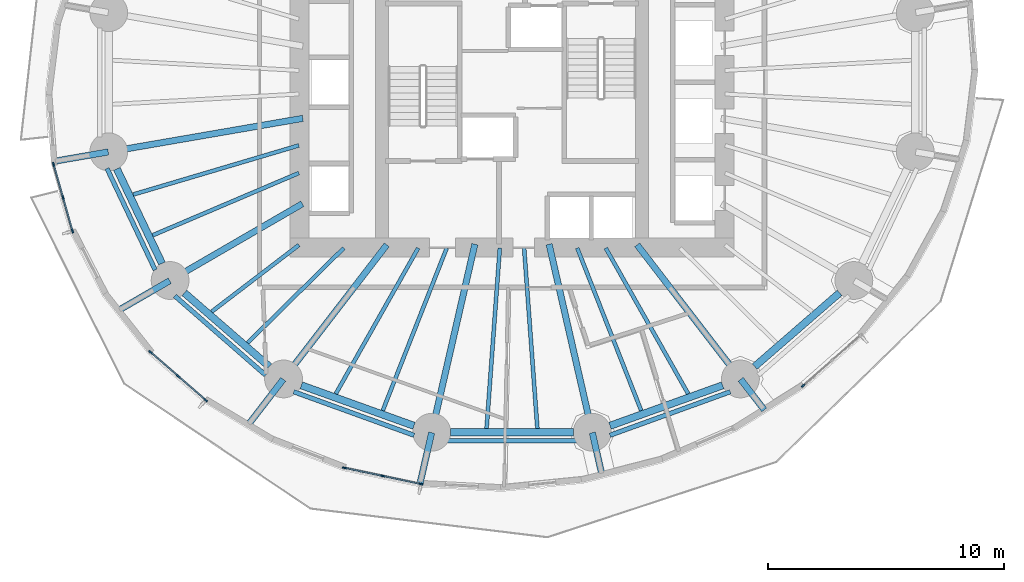
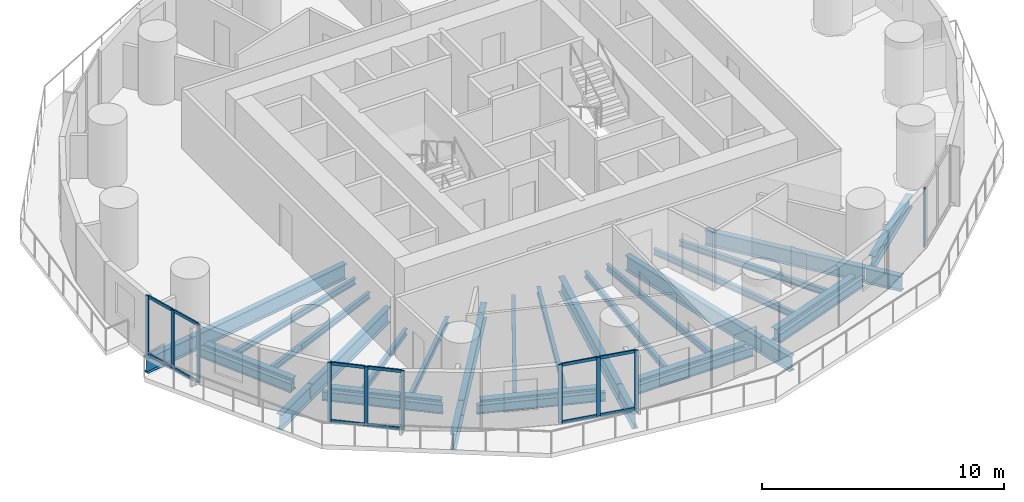
# One storey, part 2 of 13: 33 beams, 22 members, 4 elements without a shape of their own.
"""IFC4 building model written with IfcOpenShell, lengths in metres."""

from ifc_helpers import new_model, si_unit, direction, frame, origin, origin_2d, place, context, subcontext, project, spatial, rectangle, i_section, extrude, material, material_profile, profile_set, type_object, element, aggregate, save


model = new_model("IFC4")

# Units and contexts
model_context = context("Model", 3, precision=1e-05, world=origin(), true_north=direction((0.0, 1.0)))
body_context = subcontext(model_context, "Body", "Model", "MODEL_VIEW")
ifc_project = project(units=[si_unit("LENGTHUNIT", "METRE"), si_unit("AREAUNIT", "SQUARE_METRE"), si_unit("VOLUMEUNIT", "CUBIC_METRE"), si_unit("PLANEANGLEUNIT", "RADIAN"), si_unit("MASSUNIT", "GRAM", prefix="KILO")], contexts=[model_context])

# Site, building, storey
site_placement = place(None, origin())
site = spatial("IfcSite", under=ifc_project, at=site_placement, CompositionType="ELEMENT")
building_placement = place(site_placement, origin())
building = spatial("IfcBuilding", under=site, at=building_placement, Name="Veldorim Arch Residences", CompositionType="ELEMENT")
storey_placement = place(building_placement, frame((0.0, 0.0, 44.0)))
storey = spatial("IfcBuildingStorey", under=building, at=storey_placement, Name="L12", CompositionType="ELEMENT", Elevation=44.0)

# Beams
ifc_material_1 = material(Name="Steel S355", Category="steel")
ifc_material_profile_1 = material_profile(ifc_material_1, i_section(OverallWidth=0.30712890625, OverallDepth=0.6201171875, WebThickness=0.01416015625, FlangeThickness=0.023681640625, at=origin_2d()), Name="UB610x305x179")
ifc_profile_set_1 = profile_set([ifc_material_profile_1], Name="Steel S355")
beam_type_1 = type_object("IfcBeamType", Name="Structural Steel Beam UB610x305x179", PredefinedType="BEAM", material=ifc_profile_set_1)
beam_1_placement = place(storey_placement, frame((15.27880859375, 20.33203125, -0.550048828125), z_axis=(0.430786696724, -0.902453778276, 0.0), x_axis=(0.902453778276, 0.430786696724, 0.0)))
element("IfcBeam", 1, at=beam_1_placement, inside=storey, type_object=beam_type_1, Name="L12 perimeter ring tie beam 09", PredefinedType="BEAM", context=body_context, shape_type="SweptSolid", body=[
    extrude(i_section(OverallWidth=0.30712890625, OverallDepth=0.6201171875, WebThickness=0.01416015625, FlangeThickness=0.023681640625, at=origin_2d()), origin(), (0.0, 0.0, 1.0), 4.431396484375),
])
beam_2_placement = place(storey_placement, frame((18.13671875, 15.086669921875, -0.550048828125), z_axis=(0.755235029424, -0.655454079499, 0.0), x_axis=(0.655454079499, 0.755235029424, 0.0)))
element("IfcBeam", 2, at=beam_2_placement, inside=storey, type_object=beam_type_1, Name="L12 perimeter ring tie beam 10", PredefinedType="BEAM", context=body_context, shape_type="SweptSolid", body=[
    extrude(i_section(OverallWidth=0.30712890625, OverallDepth=0.6201171875, WebThickness=0.01416015625, FlangeThickness=0.023681640625, at=origin_2d()), origin(), (0.0, 0.0, 1.0), 4.756591796875),
])
beam_3_placement = place(storey_placement, frame((23.0859375, 11.17431640625, -0.550048828125), z_axis=(0.94103540046, -0.338308106732, 0.0), x_axis=(0.338308106732, 0.94103540046, 0.0)))
element("IfcBeam", 3, at=beam_3_placement, inside=storey, type_object=beam_type_1, Name="L12 perimeter ring tie beam 11", PredefinedType="BEAM", context=body_context, shape_type="SweptSolid", body=[
    extrude(i_section(OverallWidth=0.30712890625, OverallDepth=0.6201171875, WebThickness=0.01416015625, FlangeThickness=0.023681640625, at=origin_2d()), origin(), (0.0, 0.0, 1.0), 5.065185546875),
])
beam_4_placement = place(storey_placement, frame((29.405517578125, 9.190185546875, -0.550048828125), z_axis=(1.0, 0.0, 0.0), x_axis=(0.0, 1.0, 0.0)))
element("IfcBeam", 4, at=beam_4_placement, inside=storey, type_object=beam_type_1, Name="L12 perimeter ring tie beam 12", PredefinedType="BEAM", context=body_context, shape_type="SweptSolid", body=[
    extrude(i_section(OverallWidth=0.30712890625, OverallDepth=0.6201171875, WebThickness=0.01416015625, FlangeThickness=0.023681640625, at=origin_2d()), origin(), (0.0, 0.0, 1.0), 5.18896484375),
])
beam_5_placement = place(storey_placement, frame((36.1474609375, 9.460693359375, -0.550048828125), z_axis=(0.94103540046, 0.338308106732, 0.0), x_axis=(-0.338308106732, 0.94103540046, 0.0)))
element("IfcBeam", 5, at=beam_5_placement, inside=storey, type_object=beam_type_1, Name="L12 perimeter ring tie beam 13", PredefinedType="BEAM", context=body_context, shape_type="SweptSolid", body=[
    extrude(i_section(OverallWidth=0.30712890625, OverallDepth=0.6201171875, WebThickness=0.01416015625, FlangeThickness=0.023681640625, at=origin_2d()), origin(), (0.0, 0.0, 1.0), 5.065185546875),
])
beam_6_placement = place(storey_placement, frame((42.27099609375, 11.968994140625, -0.550048828125), z_axis=(0.755235029424, 0.655454079499, 0.0), x_axis=(-0.655454079499, 0.755235029424, 0.0)))
element("IfcBeam", 6, at=beam_6_placement, inside=storey, type_object=beam_type_1, Name="L12 perimeter ring tie beam 14", PredefinedType="BEAM", context=body_context, shape_type="SweptSolid", body=[
    extrude(i_section(OverallWidth=0.30712890625, OverallDepth=0.6201171875, WebThickness=0.01416015625, FlangeThickness=0.023681640625, at=origin_2d()), origin(), (0.0, 0.0, 1.0), 4.756591796875),
])
ifc_material_2 = material(Name="Steel S355", Category="steel")
ifc_material_profile_2 = material_profile(ifc_material_2, i_section(OverallWidth=0.26806640625, OverallDepth=0.769775390625, WebThickness=0.015625, FlangeThickness=0.025390625, at=origin_2d()), Name="UB762x267x197")
ifc_profile_set_2 = profile_set([ifc_material_profile_2], Name="Steel S355")
beam_type_2 = type_object("IfcBeamType", Name="Structural Steel GIRDER UB762x267x197", PredefinedType="USERDEFINED", material=ifc_profile_set_2)
beam_7_placement = place(storey_placement, frame((23.147705078125, 22.471923828125, -0.625), z_axis=(-0.985427548249, -0.170095699979, 0.0), x_axis=(0.170095699979, -0.985427548249, 0.0)))
element("IfcBeam", 7, at=beam_7_placement, inside=storey, type_object=beam_type_2, Name="L12 radial floor girder 09", ObjectType="GIRDER", PredefinedType="USERDEFINED", context=body_context, shape_type="SweptSolid", body=[
    extrude(i_section(OverallWidth=0.26806640625, OverallDepth=0.769775390625, WebThickness=0.015625, FlangeThickness=0.025390625, at=origin_2d()), origin(), (0.0, 0.0, 1.0), 8.314697265625),
])
beam_8_placement = place(storey_placement, frame((14.91455078125, 21.05078125, -0.625), z_axis=(-0.98542353719, -0.170118935902, 0.0), x_axis=(0.170118935902, -0.98542353719, 0.0)))
element("IfcBeam", 8, at=beam_8_placement, inside=storey, type_object=beam_type_2, Name="L12 radial edge cantilever girder 09", ObjectType="GIRDER", PredefinedType="USERDEFINED", context=body_context, shape_type="SweptSolid", body=[
    extrude(i_section(OverallWidth=0.26806640625, OverallDepth=0.769775390625, WebThickness=0.015625, FlangeThickness=0.025390625, at=origin_2d()), origin(), (0.0, 0.0, 1.0), 2.35205078125),
])
beam_9_placement = place(storey_placement, frame((23.1298828125, 18.8564453125, -0.625), z_axis=(-0.865088348752, -0.501619525989, 0.0), x_axis=(0.501619525989, -0.865088348752, 0.0)))
element("IfcBeam", 9, at=beam_9_placement, inside=storey, type_object=beam_type_2, Name="L12 radial floor girder 10", ObjectType="GIRDER", PredefinedType="USERDEFINED", context=body_context, shape_type="SweptSolid", body=[
    extrude(i_section(OverallWidth=0.26806640625, OverallDepth=0.769775390625, WebThickness=0.015625, FlangeThickness=0.025390625, at=origin_2d()), origin(), (0.0, 0.0, 1.0), 6.4501953125),
])
beam_10_placement = place(storey_placement, frame((17.51513671875, 15.600830078125, -0.625), z_axis=(-0.86507809522, -0.501637208718, 0.0), x_axis=(0.501637208718, -0.86507809522, 0.0)))
element("IfcBeam", 10, at=beam_10_placement, inside=storey, type_object=beam_type_2, Name="L12 radial edge cantilever girder 10", ObjectType="GIRDER", PredefinedType="USERDEFINED", context=body_context, shape_type="SweptSolid", body=[
    extrude(i_section(OverallWidth=0.26806640625, OverallDepth=0.769775390625, WebThickness=0.015625, FlangeThickness=0.025390625, at=origin_2d()), origin(), (0.0, 0.0, 1.0), 2.52978515625),
])
beam_11_placement = place(storey_placement, frame((26.701904296875, 17.118896484375, -0.625), z_axis=(-0.610082439157, -0.792337943956, 0.0), x_axis=(0.792337943956, -0.610082439157, 0.0)))
element("IfcBeam", 11, at=beam_11_placement, inside=storey, type_object=beam_type_2, Name="L12 radial floor girder 11", ObjectType="GIRDER", PredefinedType="USERDEFINED", context=body_context, shape_type="SweptSolid", body=[
    extrude(i_section(OverallWidth=0.26806640625, OverallDepth=0.769775390625, WebThickness=0.015625, FlangeThickness=0.025390625, at=origin_2d()), origin(), (0.0, 0.0, 1.0), 7.14111328125),
])
beam_12_placement = place(storey_placement, frame((22.32080078125, 11.428955078125, -0.625), z_axis=(-0.609999263859, -0.792401980116, 0.0), x_axis=(0.792401980116, -0.609999263859, 0.0)))
element("IfcBeam", 12, at=beam_12_placement, inside=storey, type_object=beam_type_2, Name="L12 radial edge cantilever girder 11", ObjectType="GIRDER", PredefinedType="USERDEFINED", context=body_context, shape_type="SweptSolid", body=[
    extrude(i_section(OverallWidth=0.26806640625, OverallDepth=0.769775390625, WebThickness=0.015625, FlangeThickness=0.025390625, at=origin_2d()), origin(), (0.0, 0.0, 1.0), 2.453369140625),
])
beam_13_placement = place(storey_placement, frame((30.428955078125, 17.146240234375, -0.625), z_axis=(-0.223411766201, -0.974724157248, 0.0), x_axis=(0.974724157248, -0.223411766201, 0.0)))
element("IfcBeam", 13, at=beam_13_placement, inside=storey, type_object=beam_type_2, Name="L12 radial floor girder 12", ObjectType="GIRDER", PredefinedType="USERDEFINED", context=body_context, shape_type="SweptSolid", body=[
    extrude(i_section(OverallWidth=0.26806640625, OverallDepth=0.769775390625, WebThickness=0.015625, FlangeThickness=0.025390625, at=origin_2d()), origin(), (0.0, 0.0, 1.0), 8.142333984375),
])
beam_14_placement = place(storey_placement, frame((28.600830078125, 9.170654296875, -0.625), z_axis=(-0.223367414268, -0.974734321876, 0.0), x_axis=(0.974734321876, -0.223367414268, 0.0)))
element("IfcBeam", 14, at=beam_14_placement, inside=storey, type_object=beam_type_2, Name="L12 radial edge cantilever girder 12", ObjectType="GIRDER", PredefinedType="USERDEFINED", context=body_context, shape_type="SweptSolid", body=[
    extrude(i_section(OverallWidth=0.26806640625, OverallDepth=0.769775390625, WebThickness=0.015625, FlangeThickness=0.025390625, at=origin_2d()), origin(), (0.0, 0.0, 1.0), 2.211181640625),
])
beam_15_placement = place(storey_placement, frame((33.571044921875, 17.146240234375, -0.625), z_axis=(0.223411766201, -0.974724157248, 0.0), x_axis=(0.974724157248, 0.223411766201, 0.0)))
element("IfcBeam", 15, at=beam_15_placement, inside=storey, type_object=beam_type_2, Name="L12 radial floor girder 13", ObjectType="GIRDER", PredefinedType="USERDEFINED", context=body_context, shape_type="SweptSolid", body=[
    extrude(i_section(OverallWidth=0.26806640625, OverallDepth=0.769775390625, WebThickness=0.015625, FlangeThickness=0.025390625, at=origin_2d()), origin(), (0.0, 0.0, 1.0), 8.142333984375),
])
beam_16_placement = place(storey_placement, frame((35.399169921875, 9.170654296875, -0.625), z_axis=(0.223378778819, -0.974731717537, 0.0), x_axis=(0.974731717537, 0.223378778819, 0.0)))
element("IfcBeam", 16, at=beam_16_placement, inside=storey, type_object=beam_type_2, Name="L12 radial edge cantilever girder 13", ObjectType="GIRDER", PredefinedType="USERDEFINED", context=body_context, shape_type="SweptSolid", body=[
    extrude(i_section(OverallWidth=0.26806640625, OverallDepth=0.769775390625, WebThickness=0.015625, FlangeThickness=0.025390625, at=origin_2d()), origin(), (0.0, 0.0, 1.0), 1.8427734375),
])
beam_17_placement = place(storey_placement, frame((37.298095703125, 17.118896484375, -0.625), z_axis=(0.610082439157, -0.792337943956, 0.0), x_axis=(0.792337943956, 0.610082439157, 0.0)))
element("IfcBeam", 17, at=beam_17_placement, inside=storey, type_object=beam_type_2, Name="L12 radial floor girder 14", ObjectType="GIRDER", PredefinedType="USERDEFINED", context=body_context, shape_type="SweptSolid", body=[
    extrude(i_section(OverallWidth=0.26806640625, OverallDepth=0.769775390625, WebThickness=0.015625, FlangeThickness=0.025390625, at=origin_2d()), origin(), (0.0, 0.0, 1.0), 7.14111328125),
])
beam_18_placement = place(storey_placement, frame((41.67919921875, 11.428955078125, -0.625), z_axis=(0.610020580693, -0.792385569739, 0.0), x_axis=(0.792385569739, 0.610020580693, 0.0)))
element("IfcBeam", 18, at=beam_18_placement, inside=storey, type_object=beam_type_2, Name="L12 radial edge cantilever girder 14", ObjectType="GIRDER", PredefinedType="USERDEFINED", context=body_context, shape_type="SweptSolid", body=[
    extrude(i_section(OverallWidth=0.26806640625, OverallDepth=0.769775390625, WebThickness=0.015625, FlangeThickness=0.025390625, at=origin_2d()), origin(), (0.0, 0.0, 1.0), 1.63720703125),
])
ifc_material_3 = material(Name="Steel S355", Category="steel")
ifc_material_profile_3 = material_profile(ifc_material_3, i_section(OverallWidth=0.165771484375, OverallDepth=0.306640625, WebThickness=0.006591796875, FlangeThickness=0.01171875, at=origin_2d()), Name="UB305x165x46")
ifc_profile_set_3 = profile_set([ifc_material_profile_3], Name="Steel S355")
beam_type_3 = type_object("IfcBeamType", Name="Structural Steel Joist UB305x165x46", PredefinedType="JOIST", material=ifc_profile_set_3)
beam_19_placement = place(storey_placement, frame((22.980712890625, 21.32666015625, -0.393310546875), z_axis=(-0.958766778771, -0.284194060325, 0.0), x_axis=(0.284194060325, -0.958766778771, 0.0)))
element("IfcBeam", 19, at=beam_19_placement, inside=storey, type_object=beam_type_3, Name="L12 secondary radial floor joist 09-1", PredefinedType="JOIST", context=body_context, shape_type="SweptSolid", body=[
    extrude(i_section(OverallWidth=0.165771484375, OverallDepth=0.306640625, WebThickness=0.006591796875, FlangeThickness=0.01171875, at=origin_2d()), origin(), (0.0, 0.0, 1.0), 7.3115234375),
])
beam_20_placement = place(storey_placement, frame((22.981689453125, 20.15869140625, -0.393310546875), z_axis=(-0.920032948668, -0.391841005213, 0.0), x_axis=(0.391841005213, -0.920032948668, 0.0)))
element("IfcBeam", 20, at=beam_20_placement, inside=storey, type_object=beam_type_3, Name="L12 secondary radial floor joist 09-2", PredefinedType="JOIST", context=body_context, shape_type="SweptSolid", body=[
    extrude(i_section(OverallWidth=0.165771484375, OverallDepth=0.306640625, WebThickness=0.006591796875, FlangeThickness=0.01171875, at=origin_2d()), origin(), (0.0, 0.0, 1.0), 6.723388671875),
])
beam_21_placement = place(storey_placement, frame((22.984130859375, 17.1123046875, -0.393310546875), z_axis=(-0.794666431166, -0.607046343517, 0.0), x_axis=(0.607046343517, -0.794666431166, 0.0)))
element("IfcBeam", 21, at=beam_21_placement, inside=storey, type_object=beam_type_3, Name="L12 secondary radial floor joist 10-1", PredefinedType="JOIST", context=body_context, shape_type="SweptSolid", body=[
    extrude(i_section(OverallWidth=0.165771484375, OverallDepth=0.306640625, WebThickness=0.006591796875, FlangeThickness=0.01171875, at=origin_2d()), origin(), (0.0, 0.0, 1.0), 4.646728515625),
])
beam_22_placement = place(storey_placement, frame((24.885009765625, 16.986083984375, -0.393310546875), z_axis=(-0.712129078446, -0.702048556463, 0.0), x_axis=(0.702048556463, -0.712129078446, 0.0)))
element("IfcBeam", 22, at=beam_22_placement, inside=storey, type_object=beam_type_3, Name="L12 secondary radial floor joist 10-2", PredefinedType="JOIST", context=body_context, shape_type="SweptSolid", body=[
    extrude(i_section(OverallWidth=0.165771484375, OverallDepth=0.306640625, WebThickness=0.006591796875, FlangeThickness=0.01171875, at=origin_2d()), origin(), (0.0, 0.0, 1.0), 5.715576171875),
])
beam_23_placement = place(storey_placement, frame((28.03125, 16.982666015625, -0.393310546875), z_axis=(-0.492292335352, -0.870429926274, 0.0), x_axis=(0.870429926274, -0.492292335352, 0.0)))
element("IfcBeam", 23, at=beam_23_placement, inside=storey, type_object=beam_type_3, Name="L12 secondary radial floor joist 11-1", PredefinedType="JOIST", context=body_context, shape_type="SweptSolid", body=[
    extrude(i_section(OverallWidth=0.165771484375, OverallDepth=0.306640625, WebThickness=0.006591796875, FlangeThickness=0.01171875, at=origin_2d()), origin(), (0.0, 0.0, 1.0), 7.083251953125),
])
beam_24_placement = place(storey_placement, frame((29.237548828125, 16.9814453125, -0.393310546875), z_axis=(-0.366229833858, -0.930524426758, 0.0), x_axis=(0.930524426758, -0.366229833858, 0.0)))
element("IfcBeam", 24, at=beam_24_placement, inside=storey, type_object=beam_type_3, Name="L12 secondary radial floor joist 11-2", PredefinedType="JOIST", context=body_context, shape_type="SweptSolid", body=[
    extrude(i_section(OverallWidth=0.165771484375, OverallDepth=0.306640625, WebThickness=0.006591796875, FlangeThickness=0.01171875, at=origin_2d()), origin(), (0.0, 0.0, 1.0), 7.3896484375),
])
for number, where, z_axis, x_axis, name in (
    (25, (31.485107421875, 16.97998046875, -0.393310546875), (-0.073167620373, -0.997319657547, 0.0), (0.997319657547, -0.073167620373, 0.0), "L12 secondary radial floor joist 12-1"),
    (26, (32.514892578125, 16.97998046875, -0.393310546875), (0.073167620373, -0.997319657547, 0.0), (0.997319657547, 0.073167620373, 0.0), "L12 secondary radial floor joist 12-2"),
):
    element("IfcBeam", number, at=place(storey_placement, frame(where, z_axis=z_axis, x_axis=x_axis)), inside=storey, type_object=beam_type_3, Name=name, PredefinedType="JOIST", context=body_context, shape_type="SweptSolid", body=[
        extrude(i_section(OverallWidth=0.165771484375, OverallDepth=0.306640625, WebThickness=0.006591796875, FlangeThickness=0.01171875, at=origin_2d()), origin(), (0.0, 0.0, 1.0), 7.651123046875),
    ])
beam_25_placement = place(storey_placement, frame((34.762451171875, 16.9814453125, -0.393310546875), z_axis=(0.366229833858, -0.930524426758, 0.0), x_axis=(0.930524426758, 0.366229833858, 0.0)))
element("IfcBeam", 27, at=beam_25_placement, inside=storey, type_object=beam_type_3, Name="L12 secondary radial floor joist 13-1", PredefinedType="JOIST", context=body_context, shape_type="SweptSolid", body=[
    extrude(i_section(OverallWidth=0.165771484375, OverallDepth=0.306640625, WebThickness=0.006591796875, FlangeThickness=0.01171875, at=origin_2d()), origin(), (0.0, 0.0, 1.0), 7.3896484375),
])
beam_26_placement = place(storey_placement, frame((35.96875, 16.982666015625, -0.393310546875), z_axis=(0.492292335352, -0.870429926274, 0.0), x_axis=(0.870429926274, 0.492292335352, 0.0)))
element("IfcBeam", 28, at=beam_26_placement, inside=storey, type_object=beam_type_3, Name="L12 secondary radial floor joist 13-2", PredefinedType="JOIST", context=body_context, shape_type="SweptSolid", body=[
    extrude(i_section(OverallWidth=0.165771484375, OverallDepth=0.306640625, WebThickness=0.006591796875, FlangeThickness=0.01171875, at=origin_2d()), origin(), (0.0, 0.0, 1.0), 7.083251953125),
])
ifc_material_4 = material(Name="Steel S355", Category="steel")
ifc_material_profile_4 = material_profile(ifc_material_4, i_section(OverallWidth=0.19140625, OverallDepth=0.4599609375, WebThickness=0.010009765625, FlangeThickness=0.01611328125, at=origin_2d()), Name="UB457x191x82")
ifc_profile_set_4 = profile_set([ifc_material_profile_4], Name="Steel S355")
beam_type_4 = type_object("IfcBeamType", Name="Structural Steel Spandrel UB457x191x82", PredefinedType="SPANDREL", material=ifc_profile_set_4)
beam_27_placement = place(storey_placement, frame((14.86181640625, 20.353515625, -0.489990234375), z_axis=(0.42886940858, -0.903366498374, 0.0), x_axis=(0.903366498374, 0.42886940858, 0.0)))
element("IfcBeam", 29, at=beam_27_placement, inside=storey, type_object=beam_type_4, Name="L12 perimeter chord spandrel beam 09", PredefinedType="SPANDREL", context=body_context, shape_type="SweptSolid", body=[
    extrude(i_section(OverallWidth=0.19140625, OverallDepth=0.4599609375, WebThickness=0.010009765625, FlangeThickness=0.01611328125, at=origin_2d()), origin(), (0.0, 0.0, 1.0), 4.7568359375),
])
beam_28_placement = place(storey_placement, frame((17.73388671875, 14.957275390625, -0.489990234375), z_axis=(0.753250231024, -0.65773405679, 0.0), x_axis=(0.65773405679, 0.753250231024, 0.0)))
element("IfcBeam", 30, at=beam_28_placement, inside=storey, type_object=beam_type_4, Name="L12 perimeter chord spandrel beam 10", PredefinedType="SPANDREL", context=body_context, shape_type="SweptSolid", body=[
    extrude(i_section(OverallWidth=0.19140625, OverallDepth=0.4599609375, WebThickness=0.010009765625, FlangeThickness=0.01611328125, at=origin_2d()), origin(), (0.0, 0.0, 1.0), 5.09423828125),
])
beam_29_placement = place(storey_placement, frame((22.76318359375, 10.904052734375, -0.489990234375), z_axis=(0.940271320222, -0.340425974873, 0.0), x_axis=(0.340425974873, 0.940271320222, 0.0)))
element("IfcBeam", 31, at=beam_29_placement, inside=storey, type_object=beam_type_4, Name="L12 perimeter chord spandrel beam 11", PredefinedType="SPANDREL", context=body_context, shape_type="SweptSolid", body=[
    extrude(i_section(OverallWidth=0.19140625, OverallDepth=0.4599609375, WebThickness=0.010009765625, FlangeThickness=0.01611328125, at=origin_2d()), origin(), (0.0, 0.0, 1.0), 5.4189453125),
])
beam_30_placement = place(storey_placement, frame((29.224609375, 8.819580078125, -0.489990234375), z_axis=(1.0, 0.0, 0.0), x_axis=(0.0, 1.0, 0.0)))
element("IfcBeam", 32, at=beam_30_placement, inside=storey, type_object=beam_type_4, Name="L12 perimeter chord spandrel beam 12", PredefinedType="SPANDREL", context=body_context, shape_type="SweptSolid", body=[
    extrude(i_section(OverallWidth=0.19140625, OverallDepth=0.4599609375, WebThickness=0.010009765625, FlangeThickness=0.01611328125, at=origin_2d()), origin(), (0.0, 0.0, 1.0), 5.55078125),
])
beam_31_placement = place(storey_placement, frame((36.1416015625, 9.059326171875, -0.489990234375), z_axis=(0.940271320222, 0.340425974873, 0.0), x_axis=(-0.340425974873, 0.940271320222, 0.0)))
element("IfcBeam", 33, at=beam_31_placement, inside=storey, type_object=beam_type_4, Name="L12 perimeter chord spandrel beam 13", PredefinedType="SPANDREL", context=body_context, shape_type="SweptSolid", body=[
    extrude(i_section(OverallWidth=0.19140625, OverallDepth=0.4599609375, WebThickness=0.010009765625, FlangeThickness=0.01611328125, at=origin_2d()), origin(), (0.0, 0.0, 1.0), 5.4189453125),
])

# Curtain wall, members
ifc_material_5 = material(Name="Aluminium", Category="aluminium")
curtain_wall_type = type_object("IfcCurtainWallType", Name="Zone 1 Acoustic Low-E Unitised Curtain Wall", PredefinedType="NOTDEFINED", material=ifc_material_5)
curtain_wall_1_placement = place(storey_placement, origin())
curtain_wall_1 = element("IfcCurtainWall", 34, at=curtain_wall_1_placement, inside=storey, type_object=curtain_wall_type, Name="L12 unitised curtain wall bay 19", PredefinedType="NOTDEFINED")
ifc_material_6 = material(Name="Aluminium", Category="aluminium")
ifc_material_profile_5 = material_profile(ifc_material_6, rectangle(XDim=0.06494140625, YDim=0.175048828125, at=origin_2d()), Name="ALU_MUL_65x175")
ifc_profile_set_5 = profile_set([ifc_material_profile_5], Name="Aluminium")
member_type_1 = type_object("IfcMemberType", Name="Zone 1 Acoustic Low-E Unitised Curtain Wall Mullion 65x175", PredefinedType="MULLION", material=ifc_profile_set_5)
member_1_placement = place(storey_placement, frame((13.40234375, 17.702392578125, 0.0), z_axis=(0.0, 0.0, 1.0), x_axis=(-0.962071370887, -0.27279786898, 0.0)))
member_1 = element("IfcMember", 35, at=member_1_placement, type_object=member_type_1, Name="CW-Z1 mullion 1", PredefinedType="MULLION", context=body_context, shape_type="SweptSolid", body=[
    extrude(rectangle(XDim=0.06494140625, YDim=0.175048828125, at=origin_2d()), origin(), (0.0, 0.0, 1.0), 2.9599609375),
])
member_2_placement = place(storey_placement, frame((13.001708984375, 19.114990234375, 0.0), z_axis=(0.0, 0.0, 1.0), x_axis=(-0.962071370887, -0.27279786898, 0.0)))
member_2 = element("IfcMember", 36, at=member_2_placement, type_object=member_type_1, Name="CW-Z1 mullion 2", PredefinedType="MULLION", context=body_context, shape_type="SweptSolid", body=[
    extrude(rectangle(XDim=0.06494140625, YDim=0.175048828125, at=origin_2d()), origin(), (0.0, 0.0, 1.0), 2.9599609375),
])
member_3_placement = place(storey_placement, frame((12.60107421875, 20.52783203125, 0.0), z_axis=(0.0, 0.0, 1.0), x_axis=(-0.962071370887, -0.27279786898, 0.0)))
member_3 = element("IfcMember", 37, at=member_3_placement, type_object=member_type_1, Name="CW-Z1 mullion 3", PredefinedType="MULLION", context=body_context, shape_type="SweptSolid", body=[
    extrude(rectangle(XDim=0.06494140625, YDim=0.175048828125, at=origin_2d()), origin(), (0.0, 0.0, 1.0), 2.9599609375),
])

curtain_wall_2_placement = place(storey_placement, origin())
curtain_wall_2 = element("IfcCurtainWall", 38, at=curtain_wall_2_placement, inside=storey, type_object=curtain_wall_type, Name="L12 unitised curtain wall bay 22", PredefinedType="NOTDEFINED")
member_4_placement = place(storey_placement, frame((19.0361328125, 10.54931640625, 0.0), z_axis=(0.0, 0.0, 1.0), x_axis=(-0.656718522267, -0.754135785195, 0.0)))
member_4 = element("IfcMember", 39, at=member_4_placement, type_object=member_type_1, Name="CW-Z1 mullion 1", PredefinedType="MULLION", context=body_context, shape_type="SweptSolid", body=[
    extrude(rectangle(XDim=0.06494140625, YDim=0.175048828125, at=origin_2d()), origin(), (0.0, 0.0, 1.0), 2.9599609375),
])
member_5_placement = place(storey_placement, frame((17.87109375, 11.563720703125, 0.0), z_axis=(0.0, 0.0, 1.0), x_axis=(-0.656718522267, -0.754135785195, 0.0)))
member_5 = element("IfcMember", 40, at=member_5_placement, type_object=member_type_1, Name="CW-Z1 mullion 2", PredefinedType="MULLION", context=body_context, shape_type="SweptSolid", body=[
    extrude(rectangle(XDim=0.06494140625, YDim=0.175048828125, at=origin_2d()), origin(), (0.0, 0.0, 1.0), 2.9599609375),
])
member_6_placement = place(storey_placement, frame((16.706298828125, 12.578125, 0.0), z_axis=(0.0, 0.0, 1.0), x_axis=(-0.656718522267, -0.754135785195, 0.0)))
member_6 = element("IfcMember", 41, at=member_6_placement, type_object=member_type_1, Name="CW-Z1 mullion 3", PredefinedType="MULLION", context=body_context, shape_type="SweptSolid", body=[
    extrude(rectangle(XDim=0.06494140625, YDim=0.175048828125, at=origin_2d()), origin(), (0.0, 0.0, 1.0), 2.9599609375),
])

curtain_wall_3_placement = place(storey_placement, origin())
curtain_wall_3 = element("IfcCurtainWall", 42, at=curtain_wall_3_placement, inside=storey, type_object=curtain_wall_type, Name="L12 unitised curtain wall bay 25", PredefinedType="NOTDEFINED")
member_7_placement = place(storey_placement, frame((28.148193359375, 6.996337890625, 0.0), z_axis=(0.0, 0.0, 1.0), x_axis=(-0.207442343439, -0.978247245919, 0.0)))
member_7 = element("IfcMember", 43, at=member_7_placement, type_object=member_type_1, Name="CW-Z1 mullion 1", PredefinedType="MULLION", context=body_context, shape_type="SweptSolid", body=[
    extrude(rectangle(XDim=0.06494140625, YDim=0.175048828125, at=origin_2d()), origin(), (0.0, 0.0, 1.0), 2.9599609375),
])
member_8_placement = place(storey_placement, frame((26.529296875, 7.339599609375, 0.0), z_axis=(0.0, 0.0, 1.0), x_axis=(-0.207442343439, -0.978247245919, 0.0)))
member_8 = element("IfcMember", 44, at=member_8_placement, type_object=member_type_1, Name="CW-Z1 mullion 2", PredefinedType="MULLION", context=body_context, shape_type="SweptSolid", body=[
    extrude(rectangle(XDim=0.06494140625, YDim=0.175048828125, at=origin_2d()), origin(), (0.0, 0.0, 1.0), 2.9599609375),
])
member_9_placement = place(storey_placement, frame((24.910400390625, 7.682861328125, 0.0), z_axis=(0.0, 0.0, 1.0), x_axis=(-0.207442343439, -0.978247245919, 0.0)))
member_9 = element("IfcMember", 45, at=member_9_placement, type_object=member_type_1, Name="CW-Z1 mullion 3", PredefinedType="MULLION", context=body_context, shape_type="SweptSolid", body=[
    extrude(rectangle(XDim=0.06494140625, YDim=0.175048828125, at=origin_2d()), origin(), (0.0, 0.0, 1.0), 2.9599609375),
])

# Curtain wall, member
curtain_wall_4_placement = place(storey_placement, origin())
curtain_wall_4 = element("IfcCurtainWall", 46, at=curtain_wall_4_placement, inside=storey, type_object=curtain_wall_type, Name="L12 unitised curtain wall bay 31", PredefinedType="NOTDEFINED")
member_10_placement = place(storey_placement, frame((44.319091796875, 11.156005859375, 0.0), z_axis=(0.0, 0.0, 1.0), x_axis=(0.661206750082, -0.750203728094, 0.0)))
member_10 = element("IfcMember", 47, at=member_10_placement, type_object=member_type_1, Name="CW-Z1 mullion 3", PredefinedType="MULLION", context=body_context, shape_type="SweptSolid", body=[
    extrude(rectangle(XDim=0.06494140625, YDim=0.175048828125, at=origin_2d()), origin(), (0.0, 0.0, 1.0), 2.9599609375),
])
aggregate(curtain_wall_4, [member_10])

# Member
ifc_material_7 = material(Name="Aluminium", Category="aluminium")
ifc_material_profile_6 = material_profile(ifc_material_7, rectangle(XDim=0.06494140625, YDim=0.14990234375, at=origin_2d()), Name="ALU_TRN_65x150")
ifc_profile_set_6 = profile_set([ifc_material_profile_6], Name="Aluminium")
member_type_2 = type_object("IfcMemberType", Name="Zone 1 Acoustic Low-E Unitised Curtain Wall Transom 65x150", PredefinedType="USERDEFINED", material=ifc_profile_set_6)
member_11_placement = place(storey_placement, frame((13.393310546875, 17.733642578125, 0.032470703125), z_axis=(-0.272790453274, 0.962073473599, 0.0), x_axis=(-0.962073473599, -0.272790453274, 0.0)))
member_11 = element("IfcMember", 48, at=member_11_placement, type_object=member_type_2, Name="CW-Z1 transom 1.1", ObjectType="TRANSOM", PredefinedType="USERDEFINED", context=body_context, shape_type="SweptSolid", body=[
    extrude(rectangle(XDim=0.06494140625, YDim=0.14990234375, at=origin_2d()), origin(), (0.0, 0.0, 1.0), 1.4033203125),
])

member_12_placement = place(storey_placement, frame((13.393310546875, 17.733642578125, 2.927490234375), z_axis=(-0.272790453274, 0.962073473599, 0.0), x_axis=(-0.962073473599, -0.272790453274, 0.0)))
member_12 = element("IfcMember", 49, at=member_12_placement, type_object=member_type_2, Name="CW-Z1 transom 1.2", ObjectType="TRANSOM", PredefinedType="USERDEFINED", context=body_context, shape_type="SweptSolid", body=[
    extrude(rectangle(XDim=0.06494140625, YDim=0.14990234375, at=origin_2d()), origin(), (0.0, 0.0, 1.0), 1.4033203125),
])

member_13_placement = place(storey_placement, frame((12.99267578125, 19.146484375, 0.032470703125), z_axis=(-0.272790453274, 0.962073473599, 0.0), x_axis=(-0.962073473599, -0.272790453274, 0.0)))
member_13 = element("IfcMember", 50, at=member_13_placement, type_object=member_type_2, Name="CW-Z1 transom 2.1", ObjectType="TRANSOM", PredefinedType="USERDEFINED", context=body_context, shape_type="SweptSolid", body=[
    extrude(rectangle(XDim=0.06494140625, YDim=0.14990234375, at=origin_2d()), origin(), (0.0, 0.0, 1.0), 1.4033203125),
])

member_14_placement = place(storey_placement, frame((12.99267578125, 19.146484375, 2.927490234375), z_axis=(-0.272790453274, 0.962073473599, 0.0), x_axis=(-0.962073473599, -0.272790453274, 0.0)))
member_14 = element("IfcMember", 51, at=member_14_placement, type_object=member_type_2, Name="CW-Z1 transom 2.2", ObjectType="TRANSOM", PredefinedType="USERDEFINED", context=body_context, shape_type="SweptSolid", body=[
    extrude(rectangle(XDim=0.06494140625, YDim=0.14990234375, at=origin_2d()), origin(), (0.0, 0.0, 1.0), 1.4033203125),
])

aggregate(curtain_wall_1, [member_1, member_2, member_3, member_11, member_12, member_13, member_14])

member_15_placement = place(storey_placement, frame((19.011474609375, 10.570556640625, 0.032470703125), z_axis=(-0.754107958252, 0.656750475677, 0.0), x_axis=(-0.656750475677, -0.754107958252, 0.0)))
member_15 = element("IfcMember", 52, at=member_15_placement, type_object=member_type_2, Name="CW-Z1 transom 1.1", ObjectType="TRANSOM", PredefinedType="USERDEFINED", context=body_context, shape_type="SweptSolid", body=[
    extrude(rectangle(XDim=0.06494140625, YDim=0.14990234375, at=origin_2d()), origin(), (0.0, 0.0, 1.0), 1.4794921875),
])

member_16_placement = place(storey_placement, frame((19.011474609375, 10.570556640625, 2.927490234375), z_axis=(-0.754107958252, 0.656750475677, 0.0), x_axis=(-0.656750475677, -0.754107958252, 0.0)))
member_16 = element("IfcMember", 53, at=member_16_placement, type_object=member_type_2, Name="CW-Z1 transom 1.2", ObjectType="TRANSOM", PredefinedType="USERDEFINED", context=body_context, shape_type="SweptSolid", body=[
    extrude(rectangle(XDim=0.06494140625, YDim=0.14990234375, at=origin_2d()), origin(), (0.0, 0.0, 1.0), 1.4794921875),
])

member_17_placement = place(storey_placement, frame((17.8466796875, 11.5849609375, 0.032470703125), z_axis=(-0.75409740977, 0.656762587682, 0.0), x_axis=(-0.656762587682, -0.75409740977, 0.0)))
member_17 = element("IfcMember", 54, at=member_17_placement, type_object=member_type_2, Name="CW-Z1 transom 2.1", ObjectType="TRANSOM", PredefinedType="USERDEFINED", context=body_context, shape_type="SweptSolid", body=[
    extrude(rectangle(XDim=0.06494140625, YDim=0.14990234375, at=origin_2d()), origin(), (0.0, 0.0, 1.0), 1.47998046875),
])

member_18_placement = place(storey_placement, frame((17.8466796875, 11.5849609375, 2.927490234375), z_axis=(-0.75409740977, 0.656762587682, 0.0), x_axis=(-0.656762587682, -0.75409740977, 0.0)))
member_18 = element("IfcMember", 55, at=member_18_placement, type_object=member_type_2, Name="CW-Z1 transom 2.2", ObjectType="TRANSOM", PredefinedType="USERDEFINED", context=body_context, shape_type="SweptSolid", body=[
    extrude(rectangle(XDim=0.06494140625, YDim=0.14990234375, at=origin_2d()), origin(), (0.0, 0.0, 1.0), 1.47998046875),
])

aggregate(curtain_wall_2, [member_4, member_5, member_6, member_15, member_16, member_17, member_18])

member_19_placement = place(storey_placement, frame((28.116455078125, 7.0029296875, 0.032470703125), z_axis=(-0.978247345961, 0.207441871667, 0.0), x_axis=(-0.207441871667, -0.978247345961, 0.0)))
member_19 = element("IfcMember", 56, at=member_19_placement, type_object=member_type_2, Name="CW-Z1 transom 1.1", ObjectType="TRANSOM", PredefinedType="USERDEFINED", context=body_context, shape_type="SweptSolid", body=[
    extrude(rectangle(XDim=0.06494140625, YDim=0.14990234375, at=origin_2d()), origin(), (0.0, 0.0, 1.0), 1.590087890625),
])

member_20_placement = place(storey_placement, frame((28.116455078125, 7.0029296875, 2.927490234375), z_axis=(-0.978247345961, 0.207441871667, 0.0), x_axis=(-0.207441871667, -0.978247345961, 0.0)))
member_20 = element("IfcMember", 57, at=member_20_placement, type_object=member_type_2, Name="CW-Z1 transom 1.2", ObjectType="TRANSOM", PredefinedType="USERDEFINED", context=body_context, shape_type="SweptSolid", body=[
    extrude(rectangle(XDim=0.06494140625, YDim=0.14990234375, at=origin_2d()), origin(), (0.0, 0.0, 1.0), 1.590087890625),
])

member_21_placement = place(storey_placement, frame((26.49755859375, 7.34619140625, 0.032470703125), z_axis=(-0.978247345961, 0.207441871667, 0.0), x_axis=(-0.207441871667, -0.978247345961, 0.0)))
member_21 = element("IfcMember", 58, at=member_21_placement, type_object=member_type_2, Name="CW-Z1 transom 2.1", ObjectType="TRANSOM", PredefinedType="USERDEFINED", context=body_context, shape_type="SweptSolid", body=[
    extrude(rectangle(XDim=0.06494140625, YDim=0.14990234375, at=origin_2d()), origin(), (0.0, 0.0, 1.0), 1.590087890625),
])

member_22_placement = place(storey_placement, frame((26.49755859375, 7.34619140625, 2.927490234375), z_axis=(-0.978247345961, 0.207441871667, 0.0), x_axis=(-0.207441871667, -0.978247345961, 0.0)))
member_22 = element("IfcMember", 59, at=member_22_placement, type_object=member_type_2, Name="CW-Z1 transom 2.2", ObjectType="TRANSOM", PredefinedType="USERDEFINED", context=body_context, shape_type="SweptSolid", body=[
    extrude(rectangle(XDim=0.06494140625, YDim=0.14990234375, at=origin_2d()), origin(), (0.0, 0.0, 1.0), 1.590087890625),
])

aggregate(curtain_wall_3, [member_7, member_8, member_9, member_19, member_20, member_21, member_22])

save(model, "model.ifc")
